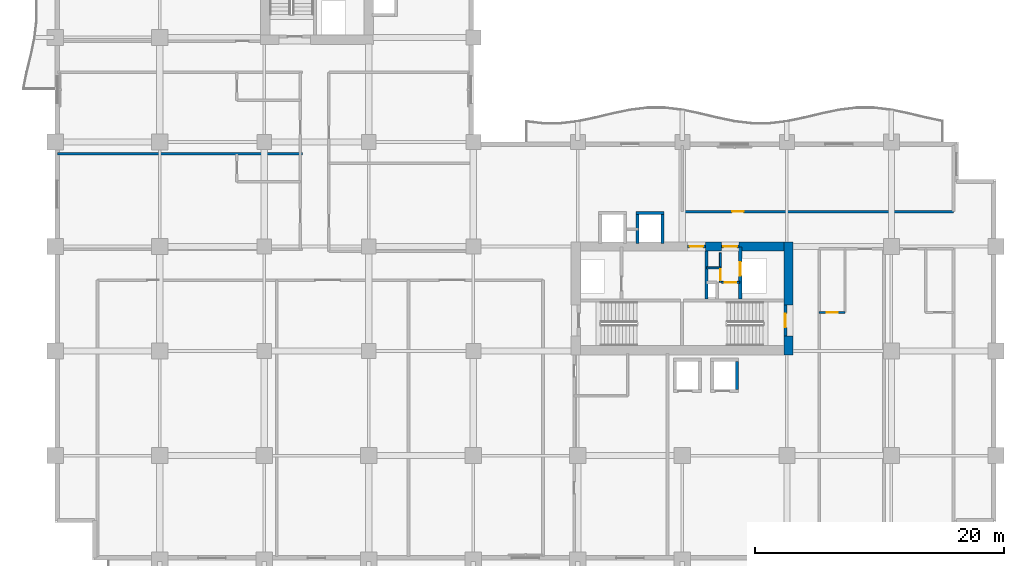
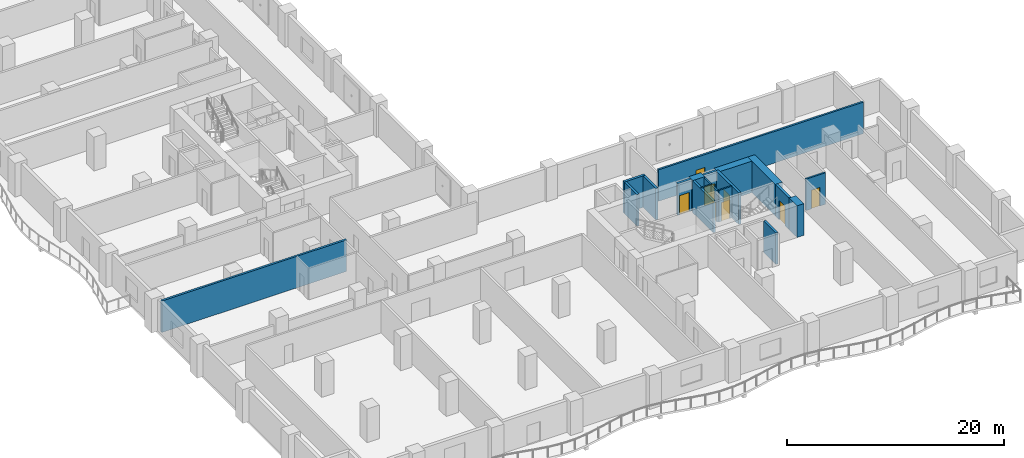
# One storey, part 5 of 18: 19 walls, 8 doors, 8 openings.
"""IFC4 building model written with IfcOpenShell, lengths in metres."""

from ifc_helpers import new_model, si_unit, direction, frame, frame_2d, origin, place, context, subcontext, project, spatial, rectangle, extrude, material, layer, layer_set, type_object, element, fill, save


model = new_model("IFC4")

# Units and contexts
model_context = context("Model", 3, precision=1e-05, world=origin(), true_north=direction((0.0, 1.0)))
body_context = subcontext(model_context, "Body", "Model", "MODEL_VIEW")
ifc_project = project(units=[si_unit("LENGTHUNIT", "METRE"), si_unit("AREAUNIT", "SQUARE_METRE"), si_unit("VOLUMEUNIT", "CUBIC_METRE"), si_unit("PLANEANGLEUNIT", "RADIAN"), si_unit("MASSUNIT", "GRAM", prefix="KILO")], contexts=[model_context])

# Site, building, storey
site_placement = place(None, origin())
site = spatial("IfcSite", under=ifc_project, at=site_placement, CompositionType="ELEMENT")
building_placement = place(site_placement, origin())
building = spatial("IfcBuilding", under=site, at=building_placement, Name="Koriwani Terraces Tower", CompositionType="ELEMENT")
storey_placement = place(building_placement, frame((0.0, 0.0, 145.60009765625)))
storey = spatial("IfcBuildingStorey", under=building, at=storey_placement, Name="L35", CompositionType="ELEMENT", Elevation=145.60009765625)

# Walls
ifc_material_1 = material(Name="Concrete C60/75", Category="concrete")
ifc_layer_1 = layer(ifc_material_1, 0.75, Name="Concrete C60/75")
ifc_layer_set_1 = layer_set([ifc_layer_1], Name="Concrete C60/75")
wall_type_1 = type_object("IfcWallType", Name="WALL_CORE_RC_750", PredefinedType="SHEAR", material=ifc_layer_set_1)
wall_1_placement = place(storey_placement, frame((58.925048828125, 16.5, 0.0), z_axis=(0.0, 0.0, 1.0), x_axis=(0.0, 1.0, 0.0)))
element("IfcWall", 1, at=wall_1_placement, inside=storey, type_object=wall_type_1, Name="L35 East Split Core Shear Wall E1", PredefinedType="SHEAR", context=body_context, shape_type="SweptSolid", body=[
    extrude(rectangle(XDim=1.5, YDim=0.75, at=frame_2d((0.75, 0.0))), origin(), (0.0, 0.0, 1.0), 3.5498046875),
])
wall_2_placement = place(storey_placement, frame((58.925048828125, 20.5, 0.0), z_axis=(0.0, 0.0, 1.0), x_axis=(0.0, 1.0, 0.0)))
element("IfcWall", 2, at=wall_2_placement, inside=storey, type_object=wall_type_1, Name="L35 East Split Core Shear Wall E2", PredefinedType="SHEAR", context=body_context, shape_type="SweptSolid", body=[
    extrude(rectangle(XDim=5.074951171875, YDim=0.75, at=frame_2d((2.53759765625, 0.0))), origin(), (0.0, 0.0, 1.0), 3.5498046875),
])
wall_3_placement = place(storey_placement, frame((52.280029296875, 25.199951171875, 0.0), z_axis=(0.0, 0.0, 1.0), x_axis=(1.0, 0.0, 0.0)))
element("IfcWall", 3, at=wall_3_placement, inside=storey, type_object=wall_type_1, Name="L35 East Split Core Shear Wall N2", PredefinedType="SHEAR", context=body_context, shape_type="SweptSolid", body=[
    extrude(rectangle(XDim=1.27001953125, YDim=0.75, at=frame_2d((0.635009765625, 0.0))), origin(), (0.0, 0.0, 1.0), 3.5498046875),
])
wall_4_placement = place(storey_placement, frame((54.949951171875, 25.199951171875, 0.0), z_axis=(0.0, 0.0, 1.0), x_axis=(1.0, 0.0, 0.0)))
element("IfcWall", 4, at=wall_4_placement, inside=storey, type_object=wall_type_1, Name="L35 East Split Core Shear Wall N3", PredefinedType="SHEAR", context=body_context, shape_type="SweptSolid", body=[
    extrude(rectangle(XDim=3.60009765625, YDim=0.75, at=frame_2d((1.800048828125, 0.0))), origin(), (0.0, 0.0, 1.0), 3.5498046875),
])

# Wall, opening, door
ifc_material_2 = material(Name="Autoclaved Cellular Concrete Blockwork", Category="masonry")
ifc_layer_2 = layer(ifc_material_2, 0.199951171875, Name="Autoclaved Cellular Concrete Blockwork")
ifc_layer_set_2 = layer_set([ifc_layer_2], Name="Autoclaved Cellular Concrete Blockwork")
wall_type_2 = type_object("IfcWallType", Name="WALL_CORRIDOR_200", PredefinedType="PARTITIONING", material=ifc_layer_set_2)
wall_5_placement = place(storey_placement, frame((50.39990234375, 28.0, 0.0), z_axis=(0.0, 0.0, 1.0), x_axis=(1.0, 0.0, 0.0)))
wall_5 = element("IfcWall", 5, at=wall_5_placement, inside=storey, type_object=wall_type_2, Name="L35 Interior Wall WSEC-S-L35", PredefinedType="PARTITIONING", context=body_context, shape_type="SweptSolid", body=[
    extrude(rectangle(XDim=21.800048828125, YDim=0.199951171875, at=frame_2d((10.89990234375, 0.0))), origin(), (0.0, 0.0, 1.0), 3.5498046875),
])
opening_1_placement = place(wall_5_placement, frame((4.0, 0.0, 0.0)))
opening_1 = element("IfcOpeningElement", 6, at=opening_1_placement, cuts=wall_5, Name="Opening D-06", PredefinedType="OPENING", context=body_context, shape_type="SweptSolid", body=[
    extrude(rectangle(XDim=0.919921875, YDim=2.10009765625, at=frame_2d((0.4599609375, 1.050048828125))), frame((0.0, 0.10986328125, 0.0), z_axis=(0.0, -1.0, 0.0), x_axis=(1.0, 0.0, 0.0)), (0.0, 0.0, 1.0), 0.219970703125),
])
ifc_material_3 = material(Name="Architectural Oak Fire Door", Category="wood")
door_type_1 = type_object("IfcDoorType", Name="DOOR_ROOM_INT_920X2100", OperationType="NOTDEFINED", PredefinedType="DOOR", material=ifc_material_3)
door_1_placement = place(opening_1_placement, origin())
door_1 = element("IfcDoor", 7, at=door_1_placement, inside=storey, type_object=door_type_1, Name="L35 East Court Study Door", OperationType="SINGLE_SWING_LEFT", OverallHeight=2.10009765625, OverallWidth=0.919921875, PredefinedType="DOOR", context=body_context, shape_type="SweptSolid", body=[
    extrude(rectangle(XDim=0.919921875, YDim=2.10009765625, at=frame_2d((0.4599609375, 1.050048828125))), frame((0.0, 0.02490234375, 0.0), z_axis=(0.0, -1.0, 0.0), x_axis=(1.0, 0.0, 0.0)), (0.0, 0.0, 1.0), 0.050048828125),
])
fill(opening_1, door_1)

# Wall
ifc_layer_3 = layer(ifc_material_2, 0.219970703125, Name="Autoclaved Cellular Concrete Blockwork")
ifc_layer_set_3 = layer_set([ifc_layer_3], Name="Autoclaved Cellular Concrete Blockwork")
wall_type_3 = type_object("IfcWallType", Name="WALL_DEMISING_220", PredefinedType="PARTITIONING", material=ifc_layer_set_3)
wall_6_placement = place(storey_placement, frame((0.199951171875, 32.64990234375, 0.0), z_axis=(0.0, 0.0, 1.0), x_axis=(1.0, 0.0, 0.0)))
element("IfcWall", 8, at=wall_6_placement, inside=storey, type_object=wall_type_3, Name="L35 Interior Wall WDEM-L35-NW-1", PredefinedType="PARTITIONING", context=body_context, shape_type="SweptSolid", body=[
    extrude(rectangle(XDim=19.679931640625, YDim=0.219970703125, at=frame_2d((9.83984375, 0.0))), origin(), (0.0, 0.0, 1.0), 3.5498046875),
])

# Wall, opening, door
ifc_material_4 = material(Name="Fire-Rated Acoustic Gypsum Partition", Category="masonry")
ifc_layer_4 = layer(ifc_material_4, 0.179931640625, Name="Fire-Rated Acoustic Gypsum Partition")
ifc_layer_set_4 = layer_set([ifc_layer_4], Name="Fire-Rated Acoustic Gypsum Partition")
wall_type_4 = type_object("IfcWallType", Name="WALL_PLUMBING_180", PredefinedType="PLUMBINGWALL", material=ifc_layer_set_4)
wall_7_placement = place(storey_placement, frame((61.39990234375, 19.89990234375, 0.0), z_axis=(0.0, 0.0, 1.0), x_axis=(1.0, 0.0, 0.0)))
wall_7 = element("IfcWall", 9, at=wall_7_placement, inside=storey, type_object=wall_type_4, Name="L35 Interior Wall WBTH1-L35-SE-0", PredefinedType="PLUMBINGWALL", context=body_context, shape_type="SweptSolid", body=[
    extrude(rectangle(XDim=2.080078125, YDim=0.179931640625, at=frame_2d((1.0400390625, 0.0))), origin(), (0.0, 0.0, 1.0), 3.5498046875),
])
opening_2_placement = place(wall_7_placement, frame((0.590087890625, 0.0, 0.0)))
opening_2 = element("IfcOpeningElement", 10, at=opening_2_placement, cuts=wall_7, Name="Opening D-07", PredefinedType="OPENING", context=body_context, shape_type="SweptSolid", body=[
    extrude(rectangle(XDim=0.89990234375, YDim=2.10009765625, at=frame_2d((0.449951171875, 1.050048828125))), frame((0.0, 0.10009765625, 0.0), z_axis=(0.0, -1.0, 0.0), x_axis=(1.0, 0.0, 0.0)), (0.0, 0.0, 1.0), 0.199951171875),
])
door_type_2 = type_object("IfcDoorType", Name="DOOR_BATH_INT_900X2100", OperationType="NOTDEFINED", PredefinedType="DOOR", material=ifc_material_3)
door_2_placement = place(opening_2_placement, origin())
door_2 = element("IfcDoor", 11, at=door_2_placement, inside=storey, type_object=door_type_2, Name="En-Suite Bathroom 35SE1 Door", OperationType="SINGLE_SWING_RIGHT", OverallHeight=2.10009765625, OverallWidth=0.89990234375, PredefinedType="DOOR", context=body_context, shape_type="SweptSolid", body=[
    extrude(rectangle(XDim=0.89990234375, YDim=2.10009765625, at=frame_2d((0.449951171875, 1.050048828125))), frame((0.0, 0.02490234375, 0.0), z_axis=(0.0, -1.0, 0.0), x_axis=(1.0, 0.0, 0.0)), (0.0, 0.0, 1.0), 0.050048828125),
])
fill(opening_2, door_2)

ifc_material_5 = material(Name="Concrete C40/50", Category="concrete")
ifc_layer_5 = layer(ifc_material_5, 0.25, Name="Concrete C40/50")
ifc_layer_set_5 = layer_set([ifc_layer_5], Name="Concrete C40/50")
wall_type_5 = type_object("IfcWallType", Name="WALL_SHAFT_RATED_250", PredefinedType="SOLIDWALL", material=ifc_layer_set_5)
wall_8_placement = place(storey_placement, frame((58.675048828125, 18.0, 0.0), z_axis=(0.0, 0.0, 1.0), x_axis=(0.0, 1.0, 0.0)))
wall_8 = element("IfcWall", 12, at=wall_8_placement, inside=storey, type_object=wall_type_5, Name="L35 Interior Wall WIN-CE-L35-STE", PredefinedType="SOLIDWALL", context=body_context, shape_type="SweptSolid", body=[
    extrude(rectangle(XDim=2.5, YDim=0.25, at=frame_2d((1.25, 0.0))), origin(), (0.0, 0.0, 1.0), 3.5498046875),
])
opening_3_placement = place(wall_8_placement, frame((0.699951171875, 0.0, 0.0)))
opening_3 = element("IfcOpeningElement", 13, at=opening_3_placement, cuts=wall_8, Name="Opening D-03", PredefinedType="OPENING", context=body_context, shape_type="SweptSolid", body=[
    extrude(rectangle(XDim=1.10009765625, YDim=2.14990234375, at=frame_2d((0.550048828125, 1.074951171875))), frame((0.0, 0.135009765625, 0.0), z_axis=(0.0, -1.0, 0.0), x_axis=(1.0, 0.0, 0.0)), (0.0, 0.0, 1.0), 0.27001953125),
])
ifc_material_6 = material(Name="Steel ASTM A572 Grade 50", Category="steel")
door_type_3 = type_object("IfcDoorType", Name="DOOR_STAIR_FIRE_1100X2150", OperationType="NOTDEFINED", PredefinedType="DOOR", material=ifc_material_6)
door_3_placement = place(opening_3_placement, origin())
door_3 = element("IfcDoor", 14, at=door_3_placement, inside=storey, type_object=door_type_3, Name="L35 Exit Stair ST-E2 Door", OperationType="SINGLE_SWING_LEFT", OverallHeight=2.14990234375, OverallWidth=1.10009765625, PredefinedType="DOOR", context=body_context, shape_type="SweptSolid", body=[
    extrude(rectangle(XDim=1.10009765625, YDim=2.14990234375, at=frame_2d((0.550048828125, 1.074951171875))), frame((0.0, 0.02490234375, 0.0), z_axis=(0.0, -1.0, 0.0), x_axis=(1.0, 0.0, 0.0)), (0.0, 0.0, 1.0), 0.050048828125),
])
fill(opening_3, door_3)

wall_9_placement = place(storey_placement, frame((50.800048828125, 25.199951171875, 0.0), z_axis=(0.0, 0.0, 1.0), x_axis=(1.0, 0.0, 0.0)))
wall_9 = element("IfcWall", 15, at=wall_9_placement, inside=storey, type_object=wall_type_5, Name="L35 Interior Wall WIN-CE-L35-NP", PredefinedType="SOLIDWALL", context=body_context, shape_type="SweptSolid", body=[
    extrude(rectangle(XDim=1.47998046875, YDim=0.25, at=frame_2d((0.739990234375, 0.0))), origin(), (0.0, 0.0, 1.0), 3.5498046875),
])
opening_4_placement = place(wall_9_placement, frame((0.179931640625, 0.0, 0.0)))
opening_4 = element("IfcOpeningElement", 16, at=opening_4_placement, cuts=wall_9, Name="Opening D-03", PredefinedType="OPENING", context=body_context, shape_type="SweptSolid", body=[
    extrude(rectangle(XDim=1.10009765625, YDim=2.14990234375, at=frame_2d((0.550048828125, 1.074951171875))), frame((0.0, 0.135009765625, 0.0), z_axis=(0.0, -1.0, 0.0), x_axis=(1.0, 0.0, 0.0)), (0.0, 0.0, 1.0), 0.27001953125),
])
door_4_placement = place(opening_4_placement, origin())
door_4 = element("IfcDoor", 17, at=door_4_placement, inside=storey, type_object=door_type_3, Name="L35 East Firefighting Lobby Door", OperationType="SINGLE_SWING_RIGHT", OverallHeight=2.14990234375, OverallWidth=1.10009765625, PredefinedType="DOOR", context=body_context, shape_type="SweptSolid", body=[
    extrude(rectangle(XDim=1.10009765625, YDim=2.14990234375, at=frame_2d((0.550048828125, 1.074951171875))), frame((0.0, 0.02490234375, 0.0), z_axis=(0.0, -1.0, 0.0), x_axis=(1.0, 0.0, 0.0)), (0.0, 0.0, 1.0), 0.050048828125),
])
fill(opening_4, door_4)

# Wall
wall_10_placement = place(storey_placement, frame((52.340087890625, 21.0, 0.0), z_axis=(0.0, 0.0, 1.0), x_axis=(0.0, 1.0, 0.0)))
element("IfcWall", 18, at=wall_10_placement, inside=storey, type_object=wall_type_5, Name="L35 Interior Wall WIN-CE-L35-FFE", PredefinedType="SOLIDWALL", context=body_context, shape_type="SweptSolid", body=[
    extrude(rectangle(XDim=3.824951171875, YDim=0.25, at=frame_2d((1.91259765625, 0.0))), origin(), (0.0, 0.0, 1.0), 3.5498046875),
])

# Wall, opening, door
wall_11_placement = place(storey_placement, frame((55.050048828125, 21.0, 0.0), z_axis=(0.0, 0.0, 1.0), x_axis=(0.0, 1.0, 0.0)))
wall_11 = element("IfcWall", 19, at=wall_11_placement, inside=storey, type_object=wall_type_5, Name="L35 Interior Wall WIN-CE-L35-SE", PredefinedType="SOLIDWALL", context=body_context, shape_type="SweptSolid", body=[
    extrude(rectangle(XDim=4.14990234375, YDim=0.25, at=frame_2d((2.074951171875, 0.0))), origin(), (0.0, 0.0, 1.0), 3.5498046875),
])
opening_5_placement = place(wall_11_placement, frame((1.85009765625, 0.0, 0.0)))
opening_5 = element("IfcOpeningElement", 20, at=opening_5_placement, cuts=wall_11, Name="Opening LD-01", PredefinedType="OPENING", context=body_context, shape_type="SweptSolid", body=[
    extrude(rectangle(XDim=1.10009765625, YDim=2.14990234375, at=frame_2d((0.550048828125, 1.074951171875))), frame((0.0, 0.135009765625, 0.0), z_axis=(0.0, -1.0, 0.0), x_axis=(1.0, 0.0, 0.0)), (0.0, 0.0, 1.0), 0.27001953125),
])
door_type_4 = type_object("IfcDoorType", Name="DOOR_LIFT_LANDING_1100X2200", OperationType="NOTDEFINED", PredefinedType="DOOR", material=ifc_material_6)
door_5_placement = place(opening_5_placement, origin())
door_5 = element("IfcDoor", 21, at=door_5_placement, inside=storey, type_object=door_type_4, Name="L35 Goods Lift SE-02 Landing Door", OperationType="SLIDING_TO_LEFT", OverallHeight=2.14990234375, OverallWidth=1.10009765625, PredefinedType="DOOR", context=body_context, shape_type="SweptSolid", body=[
    extrude(rectangle(XDim=1.10009765625, YDim=2.14990234375, at=frame_2d((0.550048828125, 1.074951171875))), frame((0.0, 0.02490234375, 0.0), z_axis=(0.0, -1.0, 0.0), x_axis=(1.0, 0.0, 0.0)), (0.0, 0.0, 1.0), 0.050048828125),
])
fill(opening_5, door_5)

wall_12_placement = place(storey_placement, frame((53.550048828125, 25.199951171875, 0.0), z_axis=(0.0, 0.0, 1.0), x_axis=(1.0, 0.0, 0.0)))
wall_12 = element("IfcWall", 22, at=wall_12_placement, inside=storey, type_object=wall_type_5, Name="L35 Interior Wall WIN-CE-L35-NP2", PredefinedType="SOLIDWALL", context=body_context, shape_type="SweptSolid", body=[
    extrude(rectangle(XDim=1.39990234375, YDim=0.25, at=frame_2d((0.699951171875, 0.0))), origin(), (0.0, 0.0, 1.0), 3.5498046875),
])
opening_6_placement = place(wall_12_placement, frame((0.14990234375, 0.0, 0.0)))
opening_6 = element("IfcOpeningElement", 23, at=opening_6_placement, cuts=wall_12, Name="Opening D-03", PredefinedType="OPENING", context=body_context, shape_type="SweptSolid", body=[
    extrude(rectangle(XDim=1.10009765625, YDim=2.14990234375, at=frame_2d((0.550048828125, 1.074951171875))), frame((0.0, 0.135009765625, 0.0), z_axis=(0.0, -1.0, 0.0), x_axis=(1.0, 0.0, 0.0)), (0.0, 0.0, 1.0), 0.27001953125),
])
door_6_placement = place(opening_6_placement, origin())
door_6 = element("IfcDoor", 24, at=door_6_placement, inside=storey, type_object=door_type_3, Name="L35 East Goods Lift Lobby Door", OperationType="SINGLE_SWING_LEFT", OverallHeight=2.14990234375, OverallWidth=1.10009765625, PredefinedType="DOOR", context=body_context, shape_type="SweptSolid", body=[
    extrude(rectangle(XDim=1.10009765625, YDim=2.14990234375, at=frame_2d((0.550048828125, 1.074951171875))), frame((0.0, 0.02490234375, 0.0), z_axis=(0.0, -1.0, 0.0), x_axis=(1.0, 0.0, 0.0)), (0.0, 0.0, 1.0), 0.050048828125),
])
fill(opening_6, door_6)

# Walls
for number, where, z_axis, x_axis, name in (
    (25, (54.800048828125, 13.72509765625, 0.0), (0.0, 0.0, 1.0), (0.0, 1.0, 0.0), "L35 Interior Wall WIN-LF-PE-M4-L35-E"),
    (26, (46.675048828125, 27.89990234375, 0.0), (0.0, 0.0, 1.0), (1.0, 0.0, 0.0), "L35 Interior Wall WIN-LF-PE-H4-L35-F"),
):
    element("IfcWall", number, at=place(storey_placement, frame(where, z_axis=z_axis, x_axis=x_axis)), inside=storey, type_object=wall_type_5, Name=name, PredefinedType="SOLIDWALL", context=body_context, shape_type="SweptSolid", body=[
        extrude(rectangle(XDim=2.25, YDim=0.25, at=frame_2d((1.125, 0.0))), origin(), (0.0, 0.0, 1.0), 3.5498046875),
    ])
for number, where, z_axis, x_axis, name in (
    (27, (46.800048828125, 25.449951171875, 0.0), (0.0, 0.0, 1.0), (0.0, 1.0, 0.0), "L35 Interior Wall WIN-LF-PE-H4-L35-W"),
    (28, (48.800048828125, 25.449951171875, 0.0), (0.0, 0.0, 1.0), (0.0, 1.0, 0.0), "L35 Interior Wall WIN-LF-PE-H4-L35-E"),
):
    element("IfcWall", number, at=place(storey_placement, frame(where, z_axis=z_axis, x_axis=x_axis)), inside=storey, type_object=wall_type_5, Name=name, PredefinedType="SOLIDWALL", context=body_context, shape_type="SweptSolid", body=[
        extrude(rectangle(XDim=2.324951171875, YDim=0.25, at=frame_2d((1.16259765625, 0.0))), origin(), (0.0, 0.0, 1.0), 3.5498046875),
    ])

# Wall, opening, door
ifc_layer_6 = layer(ifc_material_4, 0.159912109375, Name="Fire-Rated Acoustic Gypsum Partition")
ifc_layer_set_6 = layer_set([ifc_layer_6], Name="Fire-Rated Acoustic Gypsum Partition")
wall_type_6 = type_object("IfcWallType", Name="WALL_SUITE_160", PredefinedType="PARTITIONING", material=ifc_layer_set_6)
wall_13_placement = place(storey_placement, frame((53.56005859375, 22.320068359375, 0.0), z_axis=(0.0, 0.0, 1.0), x_axis=(1.0, 0.0, 0.0)))
wall_13 = element("IfcWall", 29, at=wall_13_placement, inside=storey, type_object=wall_type_6, Name="L35 Interior Wall WIN-CE-L35-SV2A", PredefinedType="PARTITIONING", context=body_context, shape_type="SweptSolid", body=[
    extrude(rectangle(XDim=1.43994140625, YDim=0.159912109375, at=frame_2d((0.719970703125, 0.0))), origin(), (0.0, 0.0, 1.0), 3.5498046875),
])
opening_7_placement = place(wall_13_placement, frame((0.260009765625, 0.0, 0.0)))
opening_7 = element("IfcOpeningElement", 30, at=opening_7_placement, cuts=wall_13, Name="Opening D-07", PredefinedType="OPENING", context=body_context, shape_type="SweptSolid", body=[
    extrude(rectangle(XDim=0.89990234375, YDim=2.10009765625, at=frame_2d((0.449951171875, 1.050048828125))), frame((0.0, 0.08984375, 0.0), z_axis=(0.0, -1.0, 0.0), x_axis=(1.0, 0.0, 0.0)), (0.0, 0.0, 1.0), 0.179931640625),
])
door_7_placement = place(opening_7_placement, origin())
door_7 = element("IfcDoor", 31, at=door_7_placement, inside=storey, type_object=door_type_2, Name="L35 East Meter Room Door", OperationType="SINGLE_SWING_RIGHT", OverallHeight=2.10009765625, OverallWidth=0.89990234375, PredefinedType="DOOR", context=body_context, shape_type="SweptSolid", body=[
    extrude(rectangle(XDim=0.89990234375, YDim=2.10009765625, at=frame_2d((0.449951171875, 1.050048828125))), frame((0.0, 0.02490234375, 0.0), z_axis=(0.0, -1.0, 0.0), x_axis=(1.0, 0.0, 0.0)), (0.0, 0.0, 1.0), 0.050048828125),
])
fill(opening_7, door_7)

wall_14_placement = place(storey_placement, frame((53.4599609375, 22.320068359375, 0.0), z_axis=(0.0, 0.0, 1.0), x_axis=(0.0, 1.0, 0.0)))
wall_14 = element("IfcWall", 32, at=wall_14_placement, inside=storey, type_object=wall_type_6, Name="L35 Interior Wall WIN-CE-L35-SV2H", PredefinedType="PARTITIONING", context=body_context, shape_type="SweptSolid", body=[
    extrude(rectangle(XDim=2.35986328125, YDim=0.159912109375, at=frame_2d((1.179931640625, 0.0))), origin(), (0.0, 0.0, 1.0), 3.5498046875),
])
opening_8_placement = place(wall_14_placement, frame((0.159912109375, 0.0, 0.0)))
opening_8 = element("IfcOpeningElement", 33, at=opening_8_placement, cuts=wall_14, Name="Opening D-07", PredefinedType="OPENING", context=body_context, shape_type="SweptSolid", body=[
    extrude(rectangle(XDim=0.89990234375, YDim=2.10009765625, at=frame_2d((0.449951171875, 1.050048828125))), frame((0.0, 0.08984375, 0.0), z_axis=(0.0, -1.0, 0.0), x_axis=(1.0, 0.0, 0.0)), (0.0, 0.0, 1.0), 0.179931640625),
])
door_8_placement = place(opening_8_placement, origin())
door_8 = element("IfcDoor", 34, at=door_8_placement, inside=storey, type_object=door_type_2, Name="L35 East Valve Room Door", OperationType="SINGLE_SWING_LEFT", OverallHeight=2.10009765625, OverallWidth=0.89990234375, PredefinedType="DOOR", context=body_context, shape_type="SweptSolid", body=[
    extrude(rectangle(XDim=0.89990234375, YDim=2.10009765625, at=frame_2d((0.449951171875, 1.050048828125))), frame((0.0, 0.02490234375, 0.0), z_axis=(0.0, -1.0, 0.0), x_axis=(1.0, 0.0, 0.0)), (0.0, 0.0, 1.0), 0.050048828125),
])
fill(opening_8, door_8)

# Wall
wall_15_placement = place(storey_placement, frame((52.360107421875, 23.47998046875, 0.0), z_axis=(0.0, 0.0, 1.0), x_axis=(1.0, 0.0, 0.0)))
element("IfcWall", 35, at=wall_15_placement, inside=storey, type_object=wall_type_6, Name="L35 Interior Wall WIN-CE-L35-SV2V", PredefinedType="PARTITIONING", context=body_context, shape_type="SweptSolid", body=[
    extrude(rectangle(XDim=1.099853515625, YDim=0.159912109375, at=frame_2d((0.5498046875, 0.0))), origin(), (0.0, 0.0, 1.0), 3.5498046875),
])

save(model, "model.ifc")
